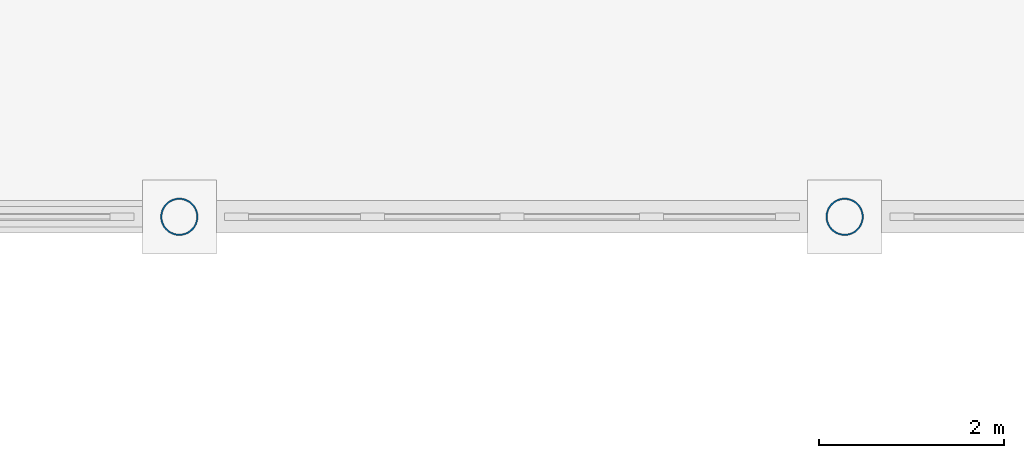
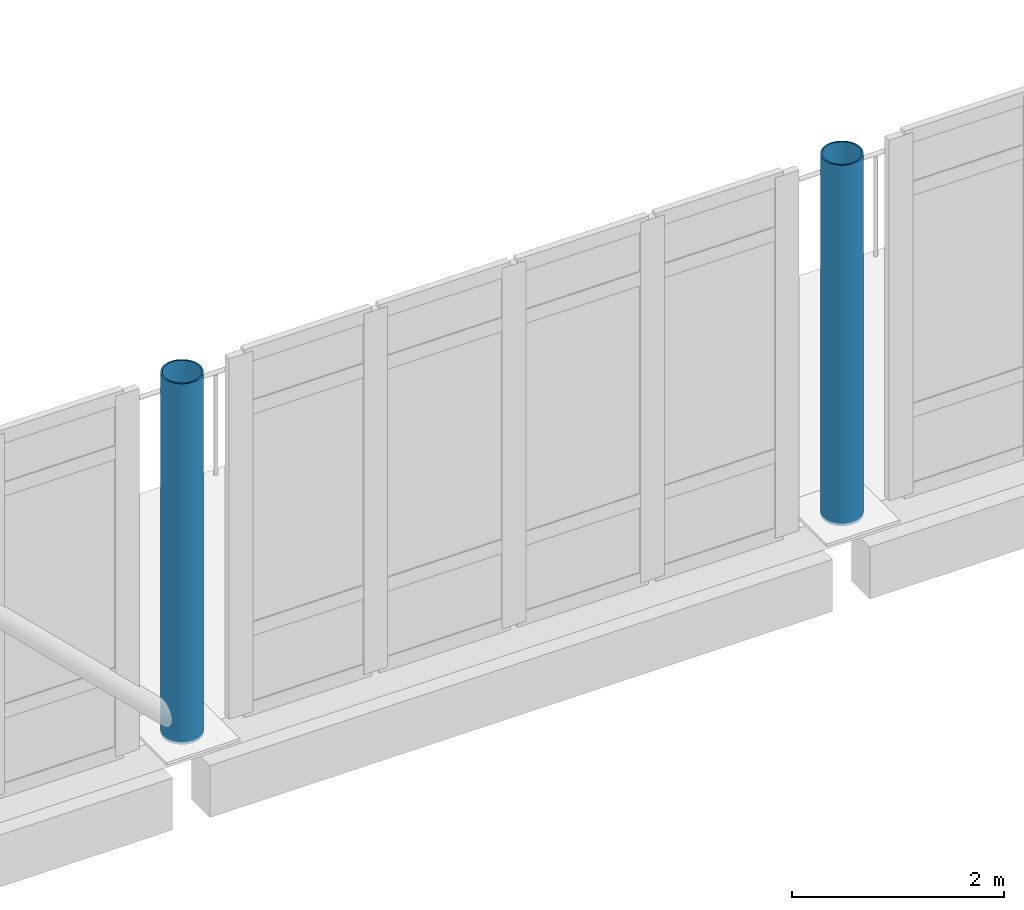
# One storey, part 2 of 62: 2 columns.
"""IFC4 building model written with IfcOpenShell, lengths in metres."""

from ifc_helpers import new_model, si_unit, direction, frame, origin, origin_2d, place, context, subcontext, project, spatial, hollow_circle, extrude, material, material_profile, profile_set, type_object, element, save


model = new_model("IFC4")

# Units and contexts
model_context = context("Model", 3, precision=1e-05, world=origin(), true_north=direction((0.0, 1.0)))
body_context = subcontext(model_context, "Body", "Model", "MODEL_VIEW")
ifc_project = project(units=[si_unit("LENGTHUNIT", "METRE"), si_unit("AREAUNIT", "SQUARE_METRE"), si_unit("VOLUMEUNIT", "CUBIC_METRE"), si_unit("PLANEANGLEUNIT", "RADIAN"), si_unit("MASSUNIT", "GRAM", prefix="KILO")], contexts=[model_context])

# Site, building, storey
site_placement = place(None, origin())
site = spatial("IfcSite", under=ifc_project, at=site_placement, CompositionType="ELEMENT")
building_placement = place(site_placement, origin())
building = spatial("IfcBuilding", under=site, at=building_placement, Name="Valkovuoma Quantum and Materials Research Institute", CompositionType="ELEMENT")
storey_placement = place(building_placement, frame((0.0, 0.0, 13.1201171875)))
storey = spatial("IfcBuildingStorey", under=building, at=storey_placement, Name="L03", CompositionType="ELEMENT", Elevation=13.1201171875)

# Columns
ifc_material = material(Name="Steel S355J2H", Category="steel")
ifc_material_profile = material_profile(ifc_material, hollow_circle(Radius=0.203125, WallThickness=0.01611328125, at=origin_2d()), Name="Steel S355J2H")
ifc_profile_set = profile_set([ifc_material_profile], Name="Steel S355J2H")
column_type = type_object("IfcColumnType", Name="Col-C-CHS406", PredefinedType="COLUMN", material=ifc_profile_set)
for number, where, z_axis, x_axis, name in (
    (1, (50.39990234375, 36.0, 0.0), (0.0, 0.0, 1.0), (1.0, 0.0, 0.0), "L03 column 08F"),
    (2, (57.60009765625, 36.0, 0.0), (0.0, 0.0, 1.0), (1.0, 0.0, 0.0), "L03 column 09F"),
):
    element("IfcColumn", number, at=place(storey_placement, frame(where, z_axis=z_axis, x_axis=x_axis)), inside=storey, type_object=column_type, Name=name, PredefinedType="COLUMN", context=body_context, shape_type="SweptSolid", body=[
        extrude(hollow_circle(Radius=0.203125, WallThickness=0.01611328125, at=origin_2d()), origin(), (0.0, 0.0, 1.0), 4.159912109375),
    ])

save(model, "model.ifc")
